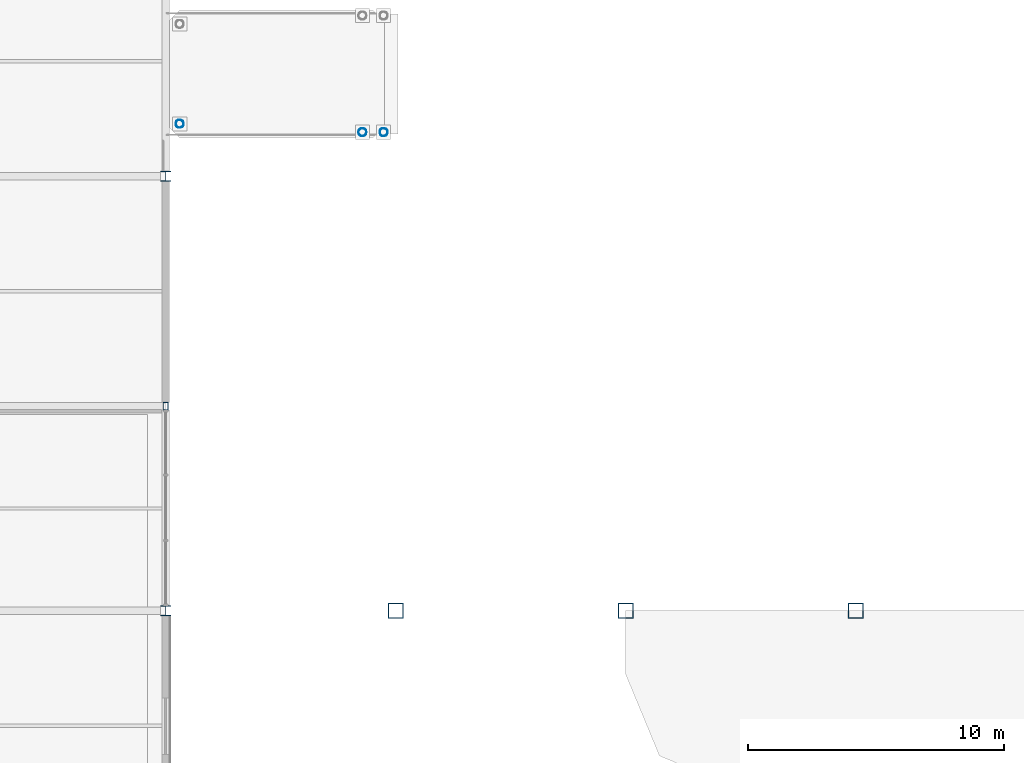
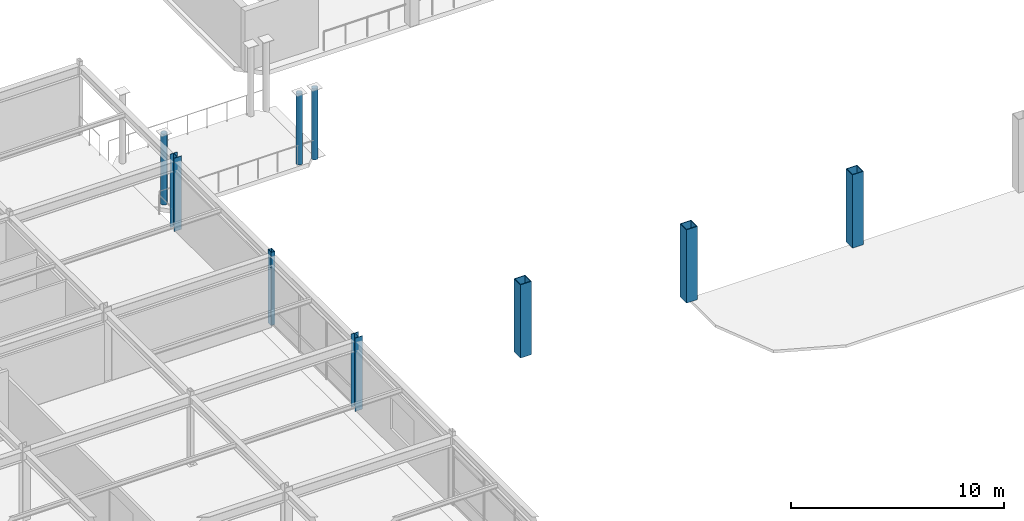
# One storey, part 4 of 105: 9 columns.
"""IFC4 building model written with IfcOpenShell, lengths in metres."""

import ifcopenshell
import ifcopenshell.guid

model = None  # the IFC model being written
_history = None  # IfcOwnerHistory: only IFC2X3 demands one
_inside = {}  # id of a spatial element -> (the spatial element, [elements in it])
_under = {}  # id of a project, library or spatial element -> (it, [spatial elements below it])
_declared = {}  # id of a project -> (the project, [libraries it declares])
_typed = {}  # id of a type object -> (the type object, [elements of that type])
_made_of = {}  # id of a material, layer set ... -> (it, [elements and type objects made of it])


def new_model(schema):
    """Start an empty IFC model of exactly this schema.

    Asked for "IFC4X3", IfcOpenShell would pick the latest addendum, in which some entities
    have other attributes; the version numbers below select the first issue.
    IFC2X3 requires an IfcOwnerHistory on every rooted entity: one is made here for all.
    """
    global model, _history
    if schema == "IFC4X3":
        model = ifcopenshell.file(schema_version=(4, 3, 0, 0))
    else:
        model = ifcopenshell.file(schema=schema)
    _inside.clear()
    _under.clear()
    _declared.clear()
    _typed.clear()
    _made_of.clear()
    _history = None
    if model.schema == "IFC2X3":
        org = make("IfcOrganization", Name="unknown")
        user = make(
            "IfcPersonAndOrganization",
            ThePerson=make("IfcPerson", FamilyName="unknown"),
            TheOrganization=org,
        )
        app = make(
            "IfcApplication",
            ApplicationDeveloper=org,
            Version="unknown",
            ApplicationFullName="unknown",
            ApplicationIdentifier="unknown",
        )
        _history = make(
            "IfcOwnerHistory",
            OwningUser=user,
            OwningApplication=app,
            ChangeAction="ADDED",
            CreationDate=0,
        )
    return model


def make(cls, **values):
    """One entity of the class cls with the attributes given. An attribute that is None is left unset."""
    return model.create_entity(
        cls, **{name: value for name, value in values.items() if value is not None}
    )


def rooted(cls, **values):
    """An entity with a GlobalId (a new one), such as an element, a storey or a relation."""
    return make(cls, GlobalId=ifcopenshell.guid.new(), OwnerHistory=_history, **values)


def si_unit(unit_type, name, prefix=None):
    """IfcSIUnit, for example si_unit("LENGTHUNIT", "METRE", prefix="MILLI")."""
    return make("IfcSIUnit", UnitType=unit_type, Prefix=prefix, Name=name)


def assignment(units):
    """IfcUnitAssignment: the units of a project."""
    return None if units is None else make("IfcUnitAssignment", Units=units)


def point(xyz):
    """IfcCartesianPoint."""
    return None if xyz is None else make("IfcCartesianPoint", Coordinates=xyz)


def direction(xyz):
    """IfcDirection."""
    return None if xyz is None else make("IfcDirection", DirectionRatios=xyz)


def frame(location, z_axis=None, x_axis=None):
    """IfcAxis2Placement3D, a coordinate frame: its origin and axes. An axis left out is left unset."""
    return make(
        "IfcAxis2Placement3D",
        Location=point(location),
        Axis=direction(z_axis),
        RefDirection=direction(x_axis),
    )


def frame_2d(location, x_axis=None):
    """IfcAxis2Placement2D, a coordinate frame in the plane: its origin and x axis."""
    return make(
        "IfcAxis2Placement2D", Location=point(location), RefDirection=direction(x_axis)
    )


def origin():
    """The frame at (0, 0, 0) with its axes left unset."""
    return frame((0.0, 0.0, 0.0))


def origin_2d():
    """The frame at (0, 0) in the plane with its x axis left unset."""
    return frame_2d((0.0, 0.0))


def place(relative_to, where):
    """IfcLocalPlacement: puts the frame where relative to a parent placement (None: the world)."""
    return make(
        "IfcLocalPlacement", PlacementRelTo=relative_to, RelativePlacement=where
    )


def context(
    kind, dimensions, precision=None, world=None, true_north=None, identifier=None
):
    """IfcGeometricRepresentationContext, for example the 3D "Model" context."""
    return make(
        "IfcGeometricRepresentationContext",
        ContextIdentifier=identifier,
        ContextType=kind,
        CoordinateSpaceDimension=dimensions,
        Precision=precision,
        WorldCoordinateSystem=world,
        TrueNorth=true_north,
    )


def subcontext(parent, identifier, kind, view, scale=None):
    """IfcGeometricRepresentationSubContext, for example "Body" below "Model"."""
    return make(
        "IfcGeometricRepresentationSubContext",
        ContextIdentifier=identifier,
        ContextType=kind,
        ParentContext=parent,
        TargetScale=scale,
        TargetView=view,
    )


def project(units=None, contexts=None):
    """IfcProject with its units and contexts."""
    return rooted(
        "IfcProject",
        Name="project",
        RepresentationContexts=contexts,
        UnitsInContext=assignment(units),
    )


def spatial(cls, under=None, at=None, **own):
    """A site, building, storey or space (cls), placed at a placement, below another one or the project."""
    s = rooted(cls, ObjectPlacement=at, **own)
    if under is not None:
        _under.setdefault(under.id(), (under, []))[1].append(s)
    return s


def profile(cls, at=None, kind="AREA", **sizes):
    """A parametric profile (cls). Its sizes go by their IFC names, for example OverallWidth=200.0."""
    return make(cls, ProfileType=kind, Position=at, **sizes)


def hollow_rectangle(**sizes):
    """IfcRectangleHollowProfileDef."""
    return profile("IfcRectangleHollowProfileDef", **sizes)


def hollow_circle(**sizes):
    """IfcCircleHollowProfileDef."""
    return profile("IfcCircleHollowProfileDef", **sizes)


def i_section(**sizes):
    """IfcIShapeProfileDef."""
    return profile("IfcIShapeProfileDef", **sizes)


def extrude(swept, where, along, depth):
    """IfcExtrudedAreaSolid: the profile swept, set in the frame where, extruded along a direction by depth."""
    return make(
        "IfcExtrudedAreaSolid",
        SweptArea=swept,
        Position=where,
        ExtrudedDirection=direction(along),
        Depth=depth,
    )


def shape(context_of_items, identifier, shape_type, items):
    """IfcShapeRepresentation: the items that make up one representation, for example the "Body"."""
    return make(
        "IfcShapeRepresentation",
        ContextOfItems=context_of_items,
        RepresentationIdentifier=identifier,
        RepresentationType=shape_type,
        Items=items,
    )


def material(Name=None, Category=None):
    """IfcMaterial."""
    return make("IfcMaterial", Name=Name, Category=Category)


def material_profile(
    of_material, cross_section, Name=None, Category=None, Priority=None
):
    """IfcMaterialProfile: a cross section and its material."""
    return make(
        "IfcMaterialProfile",
        Name=Name,
        Material=of_material,
        Profile=cross_section,
        Priority=Priority,
        Category=Category,
    )


def profile_set(profiles, Name=None, composite=None):
    """IfcMaterialProfileSet."""
    return make(
        "IfcMaterialProfileSet",
        Name=Name,
        MaterialProfiles=profiles,
        CompositeProfile=composite,
    )


def made_of(thing, what):
    """Note that an element or type object is made of a material, layer set ...; save() writes the relation."""
    if what is not None:
        _made_of.setdefault(what.id(), (what, []))[1].append(thing)
    return thing


def type_object(cls, material=None, **own):
    """A type object (cls), such as IfcWallType, which elements share."""
    return made_of(rooted(cls, **own), material)


def element(
    cls,
    number,
    at=None,
    inside=None,
    cuts=None,
    type_object=None,
    material=None,
    context=None,
    identifier="Body",
    shape_type=None,
    held_by="IfcProductDefinitionShape",
    body=None,
    shapes=None,
    **own,
):
    """One element of the class cls, such as IfcWall. Its Tag is "e" and its number.

    at: its placement. inside: the storey or other place that contains it. cuts: it is an
    opening in that element (IfcRelVoidsElement). A single representation is given by context,
    identifier, shape_type and body (its items); several are given by shapes. held_by: the class
    of the entity that holds the representations. save() writes the other relations.
    """
    e = rooted(cls, Tag="e%d" % number, ObjectPlacement=at, **own)
    if body is not None:
        shapes = [shape(context, identifier, shape_type, body)]
    if shapes is not None:
        e.Representation = make(held_by, Representations=shapes)
    if inside is not None:
        _inside.setdefault(inside.id(), (inside, []))[1].append(e)
    if cuts is not None:
        rooted(
            "IfcRelVoidsElement", RelatingBuildingElement=cuts, RelatedOpeningElement=e
        )
    if type_object is not None:
        _typed.setdefault(type_object.id(), (type_object, []))[1].append(e)
    return made_of(e, material)


def aggregate(whole, parts):
    """IfcRelAggregates: a whole, such as a stair, and the parts it consists of."""
    return rooted("IfcRelAggregates", RelatingObject=whole, RelatedObjects=parts)


def save(model, path):
    """Write the relations noted so far, then the file.

    IfcRelAggregates (storeys below a building ...), IfcRelContainedInSpatialStructure (elements
    in a storey), IfcRelDefinesByType, IfcRelAssociatesMaterial and IfcRelDeclares: one each for
    every whole, place, type object, material and project.
    """
    for whole, parts in _under.values():
        aggregate(whole, parts)
    for where, things in _inside.values():
        rooted(
            "IfcRelContainedInSpatialStructure",
            RelatedElements=things,
            RelatingStructure=where,
        )
    for kind, things in _typed.values():
        rooted("IfcRelDefinesByType", RelatedObjects=things, RelatingType=kind)
    for what, things in _made_of.values():
        rooted("IfcRelAssociatesMaterial", RelatedObjects=things, RelatingMaterial=what)
    for by, libraries in _declared.values():
        rooted("IfcRelDeclares", RelatingContext=by, RelatedDefinitions=libraries)
    model.write(path)


model = new_model("IFC4")

# Units and contexts
model_context = context("Model", 3, precision=1e-05, world=origin(), true_north=direction((0.0, 1.0)))
body_context = subcontext(model_context, "Body", "Model", "MODEL_VIEW")
ifc_project = project(units=[si_unit("LENGTHUNIT", "METRE"), si_unit("AREAUNIT", "SQUARE_METRE"), si_unit("VOLUMEUNIT", "CUBIC_METRE"), si_unit("PLANEANGLEUNIT", "RADIAN"), si_unit("MASSUNIT", "GRAM", prefix="KILO")], contexts=[model_context])

# Site, building, storey
site_placement = place(None, origin())
site = spatial("IfcSite", under=ifc_project, at=site_placement, CompositionType="ELEMENT")
building_placement = place(site_placement, origin())
building = spatial("IfcBuilding", under=site, at=building_placement, Name="Suzunagisa Mobility Hub", CompositionType="ELEMENT")
storey_placement = place(building_placement, frame((0.0, 0.0, 5.10009765625)))
storey = spatial("IfcBuildingStorey", under=building, at=storey_placement, Name="L01", CompositionType="ELEMENT", Elevation=5.10009765625)

# Columns
ifc_material = material(Name="Steel SN490B", Category="steel")
ifc_material_profile_1 = material_profile(ifc_material, hollow_rectangle(XDim=0.60009765625, YDim=0.60009765625, WallThickness=0.031982421875, at=origin_2d()), Name="BOX-600x600x32")
ifc_profile_set_1 = profile_set([ifc_material_profile_1], Name="Steel SN490B")
column_type_1 = type_object("IfcColumnType", Name="Steel Column CL-05 BOX-600x600x32", PredefinedType="COLUMN", material=ifc_profile_set_1)
for number, where, z_axis, x_axis, name in (
    (1, (45.0, 36.0, 0.0), (0.0, 0.0, 1.0), (1.0, 0.0, 0.0), "L01 Column 115"),
    (2, (54.0, 36.0, 0.0), (0.0, 0.0, 1.0), (1.0, 0.0, 0.0), "L01 Column 126"),
    (3, (63.0, 36.0, 0.0), (0.0, 0.0, 1.0), (1.0, 0.0, 0.0), "L01 Column 135"),
):
    element("IfcColumn", number, at=place(storey_placement, frame(where, z_axis=z_axis, x_axis=x_axis)), inside=storey, type_object=column_type_1, Name=name, PredefinedType="COLUMN", context=body_context, shape_type="SweptSolid", body=[
        extrude(hollow_rectangle(XDim=0.60009765625, YDim=0.60009765625, WallThickness=0.031982421875, at=origin_2d()), origin(), (0.0, 0.0, 1.0), 4.199951171875),
    ])
ifc_material_profile_2 = material_profile(ifc_material, hollow_circle(Radius=0.1591796875, WallThickness=0.01025390625, at=origin_2d()), Name="CHS-318.5x10.3")
ifc_profile_set_2 = profile_set([ifc_material_profile_2], Name="Steel SN490B")
column_type_2 = type_object("IfcColumnType", Name="Steel Column CL-09 CHS-318.5x10.3", PredefinedType="COLUMN", material=ifc_profile_set_2)
for number, where, z_axis, x_axis, name in (
    (4, (36.550048828125, 55.050048828125, 0.0), (0.0, 0.0, 1.0), (1.0, 0.0, 0.0), "L01 Column 90"),
    (5, (43.699951171875, 54.719970703125, 0.0), (0.0, 0.0, 1.0), (1.0, 0.0, 0.0), "L01 Column 103"),
    (6, (44.530029296875, 54.719970703125, 0.0), (0.0, 0.0, 1.0), (1.0, 0.0, 0.0), "L01 Column 109"),
):
    element("IfcColumn", number, at=place(storey_placement, frame(where, z_axis=z_axis, x_axis=x_axis)), inside=storey, type_object=column_type_2, Name=name, PredefinedType="COLUMN", context=body_context, shape_type="SweptSolid", body=[
        extrude(hollow_circle(Radius=0.1591796875, WallThickness=0.01025390625, at=origin_2d()), origin(), (0.0, 0.0, 1.0), 4.059814453125),
    ])
ifc_material_profile_3 = material_profile(ifc_material, i_section(OverallWidth=0.39990234375, OverallDepth=0.39990234375, WebThickness=0.012939453125, FlangeThickness=0.02099609375, FilletRadius=0.01611328125, at=origin_2d()), Name="H-400x400x13x21")
ifc_profile_set_3 = profile_set([ifc_material_profile_3], Name="Steel SN490B")
column_type_3 = type_object("IfcColumnType", Name="Steel Column CL-10 H-400x400x13x21", PredefinedType="COLUMN", material=ifc_profile_set_3)
for number, where, z_axis, x_axis, name in (
    (7, (36.0, 36.0, 0.0), (0.0, 0.0, 1.0), (1.0, 0.0, 0.0), "L01 Column 81"),
    (8, (36.0, 53.0, 0.0), (0.0, 0.0, 1.0), (1.0, 0.0, 0.0), "L01 Column 83"),
):
    element("IfcColumn", number, at=place(storey_placement, frame(where, z_axis=z_axis, x_axis=x_axis)), inside=storey, type_object=column_type_3, Name=name, PredefinedType="COLUMN", context=body_context, shape_type="SweptSolid", body=[
        extrude(i_section(OverallWidth=0.39990234375, OverallDepth=0.39990234375, WebThickness=0.012939453125, FlangeThickness=0.02099609375, FilletRadius=0.01611328125, at=origin_2d()), origin(), (0.0, 0.0, 1.0), 4.199951171875),
    ])
ifc_material_profile_4 = material_profile(ifc_material, hollow_rectangle(XDim=0.199951171875, YDim=0.300048828125, WallThickness=0.011962890625, at=origin_2d()), Name="RHS-300x200x12")
ifc_profile_set_4 = profile_set([ifc_material_profile_4], Name="Steel SN490B")
column_type_4 = type_object("IfcColumnType", Name="Steel Column CL-15 RHS-300x200x12", PredefinedType="COLUMN", material=ifc_profile_set_4)
column_placement = place(storey_placement, frame((36.0, 44.0, 0.0), z_axis=(0.0, 0.0, 1.0), x_axis=(1.0, 0.0, 0.0)))
element("IfcColumn", 9, at=column_placement, inside=storey, type_object=column_type_4, Name="L01 Column 82", PredefinedType="COLUMN", context=body_context, shape_type="SweptSolid", body=[
    extrude(hollow_rectangle(XDim=0.199951171875, YDim=0.300048828125, WallThickness=0.011962890625, at=origin_2d()), origin(), (0.0, 0.0, 1.0), 4.199951171875),
])

save(model, "model.ifc")
